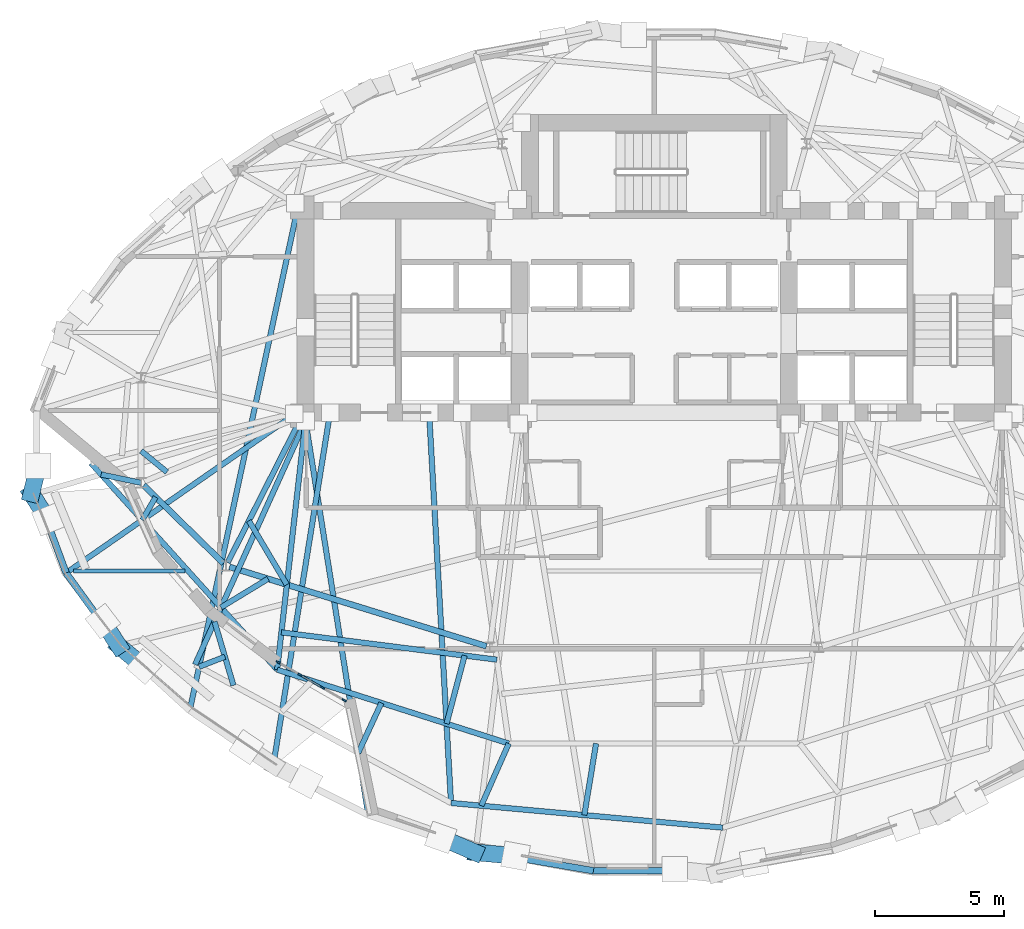
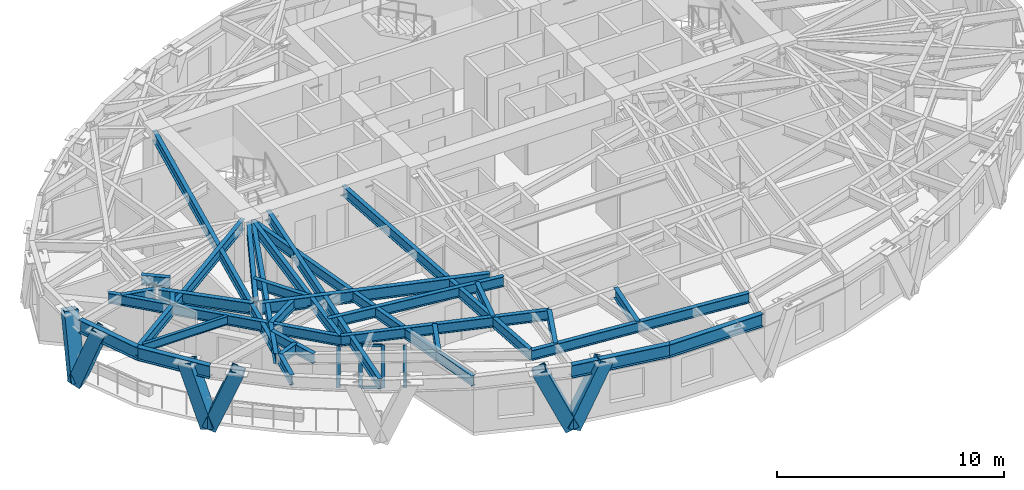
# One storey, part 2 of 15: 30 beams, 12 members, 1 element without a shape of its own.
"""IFC4 building model written with IfcOpenShell, lengths in metres."""

import ifcopenshell
import ifcopenshell.guid

model = None  # the IFC model being written
_history = None  # IfcOwnerHistory: only IFC2X3 demands one
_inside = {}  # id of a spatial element -> (the spatial element, [elements in it])
_under = {}  # id of a project, library or spatial element -> (it, [spatial elements below it])
_declared = {}  # id of a project -> (the project, [libraries it declares])
_typed = {}  # id of a type object -> (the type object, [elements of that type])
_made_of = {}  # id of a material, layer set ... -> (it, [elements and type objects made of it])


def new_model(schema):
    """Start an empty IFC model of exactly this schema.

    Asked for "IFC4X3", IfcOpenShell would pick the latest addendum, in which some entities
    have other attributes; the version numbers below select the first issue.
    IFC2X3 requires an IfcOwnerHistory on every rooted entity: one is made here for all.
    """
    global model, _history
    if schema == "IFC4X3":
        model = ifcopenshell.file(schema_version=(4, 3, 0, 0))
    else:
        model = ifcopenshell.file(schema=schema)
    _inside.clear()
    _under.clear()
    _declared.clear()
    _typed.clear()
    _made_of.clear()
    _history = None
    if model.schema == "IFC2X3":
        org = make("IfcOrganization", Name="unknown")
        user = make(
            "IfcPersonAndOrganization",
            ThePerson=make("IfcPerson", FamilyName="unknown"),
            TheOrganization=org,
        )
        app = make(
            "IfcApplication",
            ApplicationDeveloper=org,
            Version="unknown",
            ApplicationFullName="unknown",
            ApplicationIdentifier="unknown",
        )
        _history = make(
            "IfcOwnerHistory",
            OwningUser=user,
            OwningApplication=app,
            ChangeAction="ADDED",
            CreationDate=0,
        )
    return model


def make(cls, **values):
    """One entity of the class cls with the attributes given. An attribute that is None is left unset."""
    return model.create_entity(
        cls, **{name: value for name, value in values.items() if value is not None}
    )


def rooted(cls, **values):
    """An entity with a GlobalId (a new one), such as an element, a storey or a relation."""
    return make(cls, GlobalId=ifcopenshell.guid.new(), OwnerHistory=_history, **values)


def si_unit(unit_type, name, prefix=None):
    """IfcSIUnit, for example si_unit("LENGTHUNIT", "METRE", prefix="MILLI")."""
    return make("IfcSIUnit", UnitType=unit_type, Prefix=prefix, Name=name)


def assignment(units):
    """IfcUnitAssignment: the units of a project."""
    return None if units is None else make("IfcUnitAssignment", Units=units)


def point(xyz):
    """IfcCartesianPoint."""
    return None if xyz is None else make("IfcCartesianPoint", Coordinates=xyz)


def direction(xyz):
    """IfcDirection."""
    return None if xyz is None else make("IfcDirection", DirectionRatios=xyz)


def frame(location, z_axis=None, x_axis=None):
    """IfcAxis2Placement3D, a coordinate frame: its origin and axes. An axis left out is left unset."""
    return make(
        "IfcAxis2Placement3D",
        Location=point(location),
        Axis=direction(z_axis),
        RefDirection=direction(x_axis),
    )


def frame_2d(location, x_axis=None):
    """IfcAxis2Placement2D, a coordinate frame in the plane: its origin and x axis."""
    return make(
        "IfcAxis2Placement2D", Location=point(location), RefDirection=direction(x_axis)
    )


def origin():
    """The frame at (0, 0, 0) with its axes left unset."""
    return frame((0.0, 0.0, 0.0))


def origin_2d():
    """The frame at (0, 0) in the plane with its x axis left unset."""
    return frame_2d((0.0, 0.0))


def place(relative_to, where):
    """IfcLocalPlacement: puts the frame where relative to a parent placement (None: the world)."""
    return make(
        "IfcLocalPlacement", PlacementRelTo=relative_to, RelativePlacement=where
    )


def context(
    kind, dimensions, precision=None, world=None, true_north=None, identifier=None
):
    """IfcGeometricRepresentationContext, for example the 3D "Model" context."""
    return make(
        "IfcGeometricRepresentationContext",
        ContextIdentifier=identifier,
        ContextType=kind,
        CoordinateSpaceDimension=dimensions,
        Precision=precision,
        WorldCoordinateSystem=world,
        TrueNorth=true_north,
    )


def subcontext(parent, identifier, kind, view, scale=None):
    """IfcGeometricRepresentationSubContext, for example "Body" below "Model"."""
    return make(
        "IfcGeometricRepresentationSubContext",
        ContextIdentifier=identifier,
        ContextType=kind,
        ParentContext=parent,
        TargetScale=scale,
        TargetView=view,
    )


def project(units=None, contexts=None):
    """IfcProject with its units and contexts."""
    return rooted(
        "IfcProject",
        Name="project",
        RepresentationContexts=contexts,
        UnitsInContext=assignment(units),
    )


def spatial(cls, under=None, at=None, **own):
    """A site, building, storey or space (cls), placed at a placement, below another one or the project."""
    s = rooted(cls, ObjectPlacement=at, **own)
    if under is not None:
        _under.setdefault(under.id(), (under, []))[1].append(s)
    return s


def profile(cls, at=None, kind="AREA", **sizes):
    """A parametric profile (cls). Its sizes go by their IFC names, for example OverallWidth=200.0."""
    return make(cls, ProfileType=kind, Position=at, **sizes)


def rectangle(**sizes):
    """IfcRectangleProfileDef."""
    return profile("IfcRectangleProfileDef", **sizes)


def hollow_rectangle(**sizes):
    """IfcRectangleHollowProfileDef."""
    return profile("IfcRectangleHollowProfileDef", **sizes)


def i_section(**sizes):
    """IfcIShapeProfileDef."""
    return profile("IfcIShapeProfileDef", **sizes)


def extrude(swept, where, along, depth):
    """IfcExtrudedAreaSolid: the profile swept, set in the frame where, extruded along a direction by depth."""
    return make(
        "IfcExtrudedAreaSolid",
        SweptArea=swept,
        Position=where,
        ExtrudedDirection=direction(along),
        Depth=depth,
    )


def shape(context_of_items, identifier, shape_type, items):
    """IfcShapeRepresentation: the items that make up one representation, for example the "Body"."""
    return make(
        "IfcShapeRepresentation",
        ContextOfItems=context_of_items,
        RepresentationIdentifier=identifier,
        RepresentationType=shape_type,
        Items=items,
    )


def material(Name=None, Category=None):
    """IfcMaterial."""
    return make("IfcMaterial", Name=Name, Category=Category)


def layer(
    of_material, thickness, ventilated=None, Name=None, Category=None, Priority=None
):
    """IfcMaterialLayer: one layer of a wall or slab, of a material (None: an air gap)."""
    return make(
        "IfcMaterialLayer",
        Material=of_material,
        LayerThickness=thickness,
        IsVentilated=ventilated,
        Name=Name,
        Category=Category,
        Priority=Priority,
    )


def layer_set(layers, Name=None):
    """IfcMaterialLayerSet."""
    return make("IfcMaterialLayerSet", MaterialLayers=layers, LayerSetName=Name)


def material_profile(
    of_material, cross_section, Name=None, Category=None, Priority=None
):
    """IfcMaterialProfile: a cross section and its material."""
    return make(
        "IfcMaterialProfile",
        Name=Name,
        Material=of_material,
        Profile=cross_section,
        Priority=Priority,
        Category=Category,
    )


def profile_set(profiles, Name=None, composite=None):
    """IfcMaterialProfileSet."""
    return make(
        "IfcMaterialProfileSet",
        Name=Name,
        MaterialProfiles=profiles,
        CompositeProfile=composite,
    )


def made_of(thing, what):
    """Note that an element or type object is made of a material, layer set ...; save() writes the relation."""
    if what is not None:
        _made_of.setdefault(what.id(), (what, []))[1].append(thing)
    return thing


def type_object(cls, material=None, **own):
    """A type object (cls), such as IfcWallType, which elements share."""
    return made_of(rooted(cls, **own), material)


def element(
    cls,
    number,
    at=None,
    inside=None,
    cuts=None,
    type_object=None,
    material=None,
    context=None,
    identifier="Body",
    shape_type=None,
    held_by="IfcProductDefinitionShape",
    body=None,
    shapes=None,
    **own,
):
    """One element of the class cls, such as IfcWall. Its Tag is "e" and its number.

    at: its placement. inside: the storey or other place that contains it. cuts: it is an
    opening in that element (IfcRelVoidsElement). A single representation is given by context,
    identifier, shape_type and body (its items); several are given by shapes. held_by: the class
    of the entity that holds the representations. save() writes the other relations.
    """
    e = rooted(cls, Tag="e%d" % number, ObjectPlacement=at, **own)
    if body is not None:
        shapes = [shape(context, identifier, shape_type, body)]
    if shapes is not None:
        e.Representation = make(held_by, Representations=shapes)
    if inside is not None:
        _inside.setdefault(inside.id(), (inside, []))[1].append(e)
    if cuts is not None:
        rooted(
            "IfcRelVoidsElement", RelatingBuildingElement=cuts, RelatedOpeningElement=e
        )
    if type_object is not None:
        _typed.setdefault(type_object.id(), (type_object, []))[1].append(e)
    return made_of(e, material)


def aggregate(whole, parts):
    """IfcRelAggregates: a whole, such as a stair, and the parts it consists of."""
    return rooted("IfcRelAggregates", RelatingObject=whole, RelatedObjects=parts)


def save(model, path):
    """Write the relations noted so far, then the file.

    IfcRelAggregates (storeys below a building ...), IfcRelContainedInSpatialStructure (elements
    in a storey), IfcRelDefinesByType, IfcRelAssociatesMaterial and IfcRelDeclares: one each for
    every whole, place, type object, material and project.
    """
    for whole, parts in _under.values():
        aggregate(whole, parts)
    for where, things in _inside.values():
        rooted(
            "IfcRelContainedInSpatialStructure",
            RelatedElements=things,
            RelatingStructure=where,
        )
    for kind, things in _typed.values():
        rooted("IfcRelDefinesByType", RelatedObjects=things, RelatingType=kind)
    for what, things in _made_of.values():
        rooted("IfcRelAssociatesMaterial", RelatedObjects=things, RelatingMaterial=what)
    for by, libraries in _declared.values():
        rooted("IfcRelDeclares", RelatingContext=by, RelatedDefinitions=libraries)
    model.write(path)


model = new_model("IFC4")

# Units and contexts
model_context = context("Model", 3, precision=1e-05, world=origin(), true_north=direction((0.0, 1.0)))
body_context = subcontext(model_context, "Body", "Model", "MODEL_VIEW")
ifc_project = project(units=[si_unit("LENGTHUNIT", "METRE"), si_unit("AREAUNIT", "SQUARE_METRE"), si_unit("VOLUMEUNIT", "CUBIC_METRE"), si_unit("PLANEANGLEUNIT", "RADIAN"), si_unit("MASSUNIT", "GRAM", prefix="KILO")], contexts=[model_context])

# Site, building, storey
site_placement = place(None, origin())
site = spatial("IfcSite", under=ifc_project, at=site_placement, CompositionType="ELEMENT")
building_placement = place(site_placement, origin())
building = spatial("IfcBuilding", under=site, at=building_placement, Name="Keldmark Tower", CompositionType="ELEMENT")
storey_placement = place(building_placement, frame((0.0, 0.0, 195.0)))
storey = spatial("IfcBuildingStorey", under=building, at=storey_placement, Name="L54", CompositionType="ELEMENT", Elevation=195.0)

# Beam
ifc_material_1 = material(Name="Steel ASTM A992 Grade 50", Category="steel")
ifc_material_profile_1 = material_profile(ifc_material_1, i_section(OverallWidth=0.153076171875, OverallDepth=0.455078125, WebThickness=0.008056640625, FlangeThickness=0.01318359375, at=origin_2d()), Name="W18X40")
ifc_profile_set_1 = profile_set([ifc_material_profile_1], Name="Steel ASTM A992 Grade 50")
beam_type_1 = type_object("IfcBeamType", Name="Composite Floor Joist W18X40", PredefinedType="JOIST", material=ifc_profile_set_1)
beam_1_placement = place(storey_placement, frame((-22.447265625, -4.60009765625, 2.79248046875), z_axis=(1.0, 0.0, 0.0), x_axis=(0.0, 1.0, 0.0)))
element("IfcBeam", 1, at=beam_1_placement, inside=storey, type_object=beam_type_1, Name="L54 Composite Floor Joist J01", PredefinedType="JOIST", context=body_context, shape_type="SweptSolid", body=[
    extrude(i_section(OverallWidth=0.153076171875, OverallDepth=0.455078125, WebThickness=0.008056640625, FlangeThickness=0.01318359375, at=origin_2d()), origin(), (0.0, 0.0, 1.0), 4.310302734375),
])

# Curtain wall, members
ifc_material_2 = material(Name="Unitized Thermally Broken Aluminum and Triple Low-E Glazing", Category="aluminium")
ifc_layer = layer(ifc_material_2, 0.219970703125)
ifc_layer_set = layer_set([ifc_layer], Name="Unitized Thermally Broken Aluminum and Triple Low-E Glazing")
curtain_wall_type = type_object("IfcCurtainWallType", Name="Spiralling Sky-Garden Feature Curtain Wall System", PredefinedType="NOTDEFINED", material=ifc_layer_set)
curtain_wall_placement = place(storey_placement, origin())
curtain_wall = element("IfcCurtainWall", 2, at=curtain_wall_placement, inside=storey, type_object=curtain_wall_type, Name="L54 Spiralling Sky-Garden Feature Curtain Wall System CW-L54-20", PredefinedType="NOTDEFINED")
ifc_material_3 = material(Name="Extruded Aluminum Alloy 6063-T6", Category="aluminium")
ifc_material_profile_2 = material_profile(ifc_material_3, rectangle(XDim=0.06005859375, YDim=0.139892578125, at=origin_2d()), Name="CWT60X140")
ifc_profile_set_2 = profile_set([ifc_material_profile_2], Name="Extruded Aluminum Alloy 6063-T6")
member_type_1 = type_object("IfcMemberType", Name="Curtain Wall Horizontal Transom 60x140", PredefinedType="USERDEFINED", material=ifc_profile_set_2)
member_1_placement = place(storey_placement, frame((-12.8486328125, -9.09130859375, 0.030029296875), z_axis=(-0.866690432268, 0.498846363739, 0.0), x_axis=(-0.498846363739, -0.866690432268, 0.0)))
member_1 = element("IfcMember", 3, at=member_1_placement, type_object=member_type_1, Name="CW transom 2.1", ObjectType="TRANSOM", PredefinedType="USERDEFINED", context=body_context, shape_type="SweptSolid", body=[
    extrude(rectangle(XDim=0.06005859375, YDim=0.139892578125, at=origin_2d()), origin(), (0.0, 0.0, 1.0), 0.941162109375),
])
member_2_placement = place(storey_placement, frame((-12.8486328125, -9.09130859375, 2.284912109375), z_axis=(-0.866690432268, 0.498846363739, 0.0), x_axis=(-0.498846363739, -0.866690432268, 0.0)))
member_2 = element("IfcMember", 4, at=member_2_placement, type_object=member_type_1, Name="CW transom 2.2", ObjectType="TRANSOM", PredefinedType="USERDEFINED", context=body_context, shape_type="SweptSolid", body=[
    extrude(rectangle(XDim=0.06005859375, YDim=0.139892578125, at=origin_2d()), origin(), (0.0, 0.0, 1.0), 0.941162109375),
])
ifc_material_4 = material(Name="Extruded Aluminum Alloy 6063-T6", Category="aluminium")
ifc_material_profile_3 = material_profile(ifc_material_4, rectangle(XDim=0.06005859375, YDim=0.179931640625, at=origin_2d()), Name="CWM60X180")
ifc_profile_set_3 = profile_set([ifc_material_profile_3], Name="Extruded Aluminum Alloy 6063-T6")
member_type_2 = type_object("IfcMemberType", Name="Curtain Wall Structural Mullion 60x180", PredefinedType="MULLION", material=ifc_profile_set_3)
member_3_placement = place(storey_placement, frame((-11.98095703125, -9.5908203125, 0.0), z_axis=(0.0, 0.0, 1.0), x_axis=(-0.498850780197, -0.866687890245, 0.0)))
member_3 = element("IfcMember", 5, at=member_3_placement, type_object=member_type_2, Name="CW mullion 1", PredefinedType="MULLION", context=body_context, shape_type="SweptSolid", body=[
    extrude(rectangle(XDim=0.06005859375, YDim=0.179931640625, at=origin_2d()), origin(), (0.0, 0.0, 1.0), 2.31494140625),
])
member_4_placement = place(storey_placement, frame((-12.822509765625, -9.1064453125, 0.0), z_axis=(0.0, 0.0, 1.0), x_axis=(-0.498850780197, -0.866687890245, 0.0)))
member_4 = element("IfcMember", 6, at=member_4_placement, type_object=member_type_2, Name="CW mullion 2", PredefinedType="MULLION", context=body_context, shape_type="SweptSolid", body=[
    extrude(rectangle(XDim=0.06005859375, YDim=0.179931640625, at=origin_2d()), origin(), (0.0, 0.0, 1.0), 2.31494140625),
])
member_5_placement = place(storey_placement, frame((-13.690185546875, -8.60693359375, 0.0), z_axis=(0.0, 0.0, 1.0), x_axis=(-0.498850780197, -0.866687890245, 0.0)))
member_5 = element("IfcMember", 7, at=member_5_placement, type_object=member_type_2, Name="CW mullion 3", PredefinedType="MULLION", context=body_context, shape_type="SweptSolid", body=[
    extrude(rectangle(XDim=0.06005859375, YDim=0.179931640625, at=origin_2d()), origin(), (0.0, 0.0, 1.0), 2.31494140625),
])
member_6_placement = place(storey_placement, frame((-14.531982421875, -8.12255859375, 0.0), z_axis=(0.0, 0.0, 1.0), x_axis=(-0.498850780197, -0.866687890245, 0.0)))
member_6 = element("IfcMember", 8, at=member_6_placement, type_object=member_type_2, Name="CW mullion 4", PredefinedType="MULLION", context=body_context, shape_type="SweptSolid", body=[
    extrude(rectangle(XDim=0.06005859375, YDim=0.179931640625, at=origin_2d()), origin(), (0.0, 0.0, 1.0), 2.31494140625),
])
aggregate(curtain_wall, [member_3, member_4, member_5, member_6, member_1, member_2])

# Members
ifc_material_5 = material(Name="Steel ASTM A572 Grade 50", Category="steel")
ifc_material_profile_4 = material_profile(ifc_material_5, hollow_rectangle(XDim=0.64990234375, YDim=0.64990234375, WallThickness=0.0400390625, at=origin_2d()), Name="BOX650X650X40")
ifc_profile_set_4 = profile_set([ifc_material_profile_4], Name="Steel ASTM A572 Grade 50")
member_type_3 = type_object("IfcMemberType", Name="Diagrid Zone 3 Brace BOX650X650X40", PredefinedType="BRACE", material=ifc_profile_set_4)
member_7_placement = place(storey_placement, frame((-24.069091796875, -1.6171875, -0.260009765625), z_axis=(0.078930091832, 0.322425416682, 0.943298410515), x_axis=(-0.971319047575, 0.237779956719, 0.0)))
element("IfcMember", 9, at=member_7_placement, inside=storey, type_object=member_type_3, Name="L54 Perimeter Diagrid Brace 08B", PredefinedType="BRACE", context=body_context, shape_type="SweptSolid", body=[
    extrude(hollow_rectangle(XDim=0.64990234375, YDim=0.64990234375, WallThickness=0.0400390625, at=origin_2d()), origin(), (0.0, 0.0, 1.0), 3.349853515625),
])
member_8_placement = place(storey_placement, frame((-24.069091796875, -1.605224609375, -0.260009765625), z_axis=(0.190598786079, -0.298614398356, 0.935147872713), x_axis=(0.842930081516, 0.538023120019, 0.0)))
element("IfcMember", 10, at=member_8_placement, inside=storey, type_object=member_type_3, Name="L54 Perimeter Diagrid Brace 09A", PredefinedType="BRACE", context=body_context, shape_type="SweptSolid", body=[
    extrude(hollow_rectangle(XDim=0.64990234375, YDim=0.64990234375, WallThickness=0.0400390625, at=origin_2d()), origin(), (0.0, 0.0, 1.0), 3.379150390625),
])
member_9_placement = place(storey_placement, frame((-20.685546875, -7.499267578125, -0.260009765625), z_axis=(-0.184722296297, 0.286272343573, 0.940173291769), x_axis=(-0.840255915294, -0.542190000658, 0.0)))
element("IfcMember", 11, at=member_9_placement, inside=storey, type_object=member_type_3, Name="L54 Perimeter Diagrid Brace 09B", PredefinedType="BRACE", context=body_context, shape_type="SweptSolid", body=[
    extrude(hollow_rectangle(XDim=0.64990234375, YDim=0.64990234375, WallThickness=0.0400390625, at=origin_2d()), origin(), (0.0, 0.0, 1.0), 3.361083984375),
])
member_10_placement = place(storey_placement, frame((-20.68994140625, -7.48828125, -0.260009765625), z_axis=(0.285296485785, -0.237735115387, 0.928486903575), x_axis=(0.64016539914, 0.768237112969, 0.0)))
element("IfcMember", 12, at=member_10_placement, inside=storey, type_object=member_type_3, Name="L54 Perimeter Diagrid Brace 10A", PredefinedType="BRACE", context=body_context, shape_type="SweptSolid", body=[
    extrude(hollow_rectangle(XDim=0.64990234375, YDim=0.64990234375, WallThickness=0.0400390625, at=origin_2d()), origin(), (0.0, 0.0, 1.0), 3.4033203125),
])
member_11_placement = place(storey_placement, frame((-6.917236328125, -15.469970703125, -0.260009765625), z_axis=(-0.383885290539, 0.16597599856, 0.908341373939), x_axis=(-0.39685383877, -0.917881817367, 0.0)))
element("IfcMember", 13, at=member_11_placement, inside=storey, type_object=member_type_3, Name="L54 Perimeter Diagrid Brace 11B", PredefinedType="BRACE", context=body_context, shape_type="SweptSolid", body=[
    extrude(hollow_rectangle(XDim=0.64990234375, YDim=0.64990234375, WallThickness=0.0400390625, at=origin_2d()), origin(), (0.0, 0.0, 1.0), 3.478759765625),
])
member_12_placement = place(storey_placement, frame((-6.92822265625, -15.465576171875, -0.260009765625), z_axis=(0.443781125706, -0.040048203208, 0.895239886224), x_axis=(0.089877909266, 0.995952790762, 0.0)))
element("IfcMember", 14, at=member_12_placement, inside=storey, type_object=member_type_3, Name="L54 Perimeter Diagrid Brace 12A", PredefinedType="BRACE", context=body_context, shape_type="SweptSolid", body=[
    extrude(hollow_rectangle(XDim=0.64990234375, YDim=0.64990234375, WallThickness=0.0400390625, at=origin_2d()), origin(), (0.0, 0.0, 1.0), 3.52978515625),
])

# Beams
ifc_material_6 = material(Name="Steel ASTM A992 Grade 50", Category="steel")
ifc_material_profile_5 = material_profile(ifc_material_6, i_section(OverallWidth=0.22900390625, OverallDepth=0.612060546875, WebThickness=0.011962890625, FlangeThickness=0.01953125, at=origin_2d()), Name="W24X84")
ifc_profile_set_5 = profile_set([ifc_material_profile_5], Name="Steel ASTM A992 Grade 50")
beam_type_2 = type_object("IfcBeamType", Name="Primary Floor Girder W24X84", PredefinedType="BEAM", material=ifc_profile_set_5)
beam_2_placement = place(storey_placement, frame((-19.728271484375, -1.287109375, 2.714111328125), z_axis=(0.714964509815, -0.699160746684, 0.0), x_axis=(0.699160746684, 0.714964509815, 0.0)))
element("IfcBeam", 15, at=beam_2_placement, inside=storey, type_object=beam_type_2, Name="L54 Floor Ring Girder FG-R07", PredefinedType="BEAM", context=body_context, shape_type="SweptSolid", body=[
    extrude(i_section(OverallWidth=0.22900390625, OverallDepth=0.612060546875, WebThickness=0.011962890625, FlangeThickness=0.01953125, at=origin_2d()), origin(), (0.0, 0.0, 1.0), 4.31005859375),
])
beam_3_placement = place(storey_placement, frame((-16.412841796875, -4.439697265625, 2.714111328125), z_axis=(0.955494563145, -0.295008711398, 0.0), x_axis=(0.295008711398, 0.955494563145, 0.0)))
element("IfcBeam", 16, at=beam_3_placement, inside=storey, type_object=beam_type_2, Name="L54 Floor Ring Girder FG-R08", PredefinedType="BEAM", context=body_context, shape_type="SweptSolid", body=[
    extrude(i_section(OverallWidth=0.22900390625, OverallDepth=0.612060546875, WebThickness=0.011962890625, FlangeThickness=0.01953125, at=origin_2d()), origin(), (0.0, 0.0, 1.0), 10.39013671875),
])
ifc_material_7 = material(Name="Steel ASTM A992 Grade 50", Category="steel")
ifc_material_profile_6 = material_profile(ifc_material_7, i_section(OverallWidth=0.2099609375, OverallDepth=0.537109375, WebThickness=0.010986328125, FlangeThickness=0.017333984375, at=origin_2d()), Name="W21X68")
ifc_profile_set_6 = profile_set([ifc_material_profile_6], Name="Steel ASTM A992 Grade 50")
beam_type_3 = type_object("IfcBeamType", Name="Radial Tie Girder W21X68", PredefinedType="BEAM", material=ifc_profile_set_6)
beam_4_placement = place(storey_placement, frame((-16.4833984375, -4.273681640625, 2.75146484375), z_axis=(0.453036691775, 0.891491870914, 0.0), x_axis=(-0.891491870914, 0.453036691775, 0.0)))
element("IfcBeam", 17, at=beam_4_placement, inside=storey, type_object=beam_type_3, Name="L54 Floor Radial Girder FG-C08", PredefinedType="BEAM", context=body_context, shape_type="SweptSolid", body=[
    extrude(i_section(OverallWidth=0.2099609375, OverallDepth=0.537109375, WebThickness=0.010986328125, FlangeThickness=0.017333984375, at=origin_2d()), origin(), (0.0, 0.0, 1.0), 6.044189453125),
])
beam_5_placement = place(storey_placement, frame((-18.82861328125, -0.773681640625, 2.75146484375), z_axis=(-0.774092038208, 0.633073073494, 0.0), x_axis=(-0.633073073494, -0.774092038208, 0.0)))
element("IfcBeam", 18, at=beam_5_placement, inside=storey, type_object=beam_type_3, Name="L54 Framing Pin Header PH-001", PredefinedType="BEAM", context=body_context, shape_type="SweptSolid", body=[
    extrude(i_section(OverallWidth=0.2099609375, OverallDepth=0.537109375, WebThickness=0.010986328125, FlangeThickness=0.017333984375, at=origin_2d()), origin(), (0.0, 0.0, 1.0), 1.29150390625),
])
beam_6_placement = place(storey_placement, frame((-15.661865234375, -2.6572265625, 2.75146484375), z_axis=(0.510800164632, -0.859699477615, 0.0), x_axis=(0.859699477615, 0.510800164632, 0.0)))
element("IfcBeam", 19, at=beam_6_placement, inside=storey, type_object=beam_type_3, Name="L54 Framing Pin Header PH-002", PredefinedType="BEAM", context=body_context, shape_type="SweptSolid", body=[
    extrude(i_section(OverallWidth=0.2099609375, OverallDepth=0.537109375, WebThickness=0.010986328125, FlangeThickness=0.017333984375, at=origin_2d()), origin(), (0.0, 0.0, 1.0), 2.86962890625),
])
beam_7_placement = place(storey_placement, frame((-13.47509765625, 1.199951171875, 2.75146484375), z_axis=(-0.113259692986, -0.993565419056, 0.0), x_axis=(0.993565419056, -0.113259692986, 0.0)))
element("IfcBeam", 20, at=beam_7_placement, inside=storey, type_object=beam_type_3, Name="L54 Sub-Ring Step Girder STP1-M08", PredefinedType="BEAM", context=body_context, shape_type="SweptSolid", body=[
    extrude(i_section(OverallWidth=0.2099609375, OverallDepth=0.537109375, WebThickness=0.010986328125, FlangeThickness=0.017333984375, at=origin_2d()), origin(), (0.0, 0.0, 1.0), 9.672119140625),
])
beam_8_placement = place(storey_placement, frame((-14.40625, -6.968505859375, 2.75146484375), z_axis=(0.992079298302, -0.125613159666, 0.0), x_axis=(0.125613159666, 0.992079298302, 0.0)))
element("IfcBeam", 21, at=beam_8_placement, inside=storey, type_object=beam_type_3, Name="L54 Framing Pin Header PH-003", PredefinedType="BEAM", context=body_context, shape_type="SweptSolid", body=[
    extrude(i_section(OverallWidth=0.2099609375, OverallDepth=0.537109375, WebThickness=0.010986328125, FlangeThickness=0.017333984375, at=origin_2d()), origin(), (0.0, 0.0, 1.0), 8.394287109375),
])
beam_9_placement = place(storey_placement, frame((-21.764404296875, -0.431640625, 2.75146484375), z_axis=(0.66965376716, -0.742673435723, 0.0), x_axis=(0.742673435723, 0.66965376716, 0.0)))
element("IfcBeam", 22, at=beam_9_placement, inside=storey, type_object=beam_type_3, Name="L54 Perimeter Collector Ring Beam CRG1-M07", PredefinedType="BEAM", context=body_context, shape_type="SweptSolid", body=[
    extrude(i_section(OverallWidth=0.2099609375, OverallDepth=0.537109375, WebThickness=0.010986328125, FlangeThickness=0.017333984375, at=origin_2d()), origin(), (0.0, 0.0, 1.0), 10.74267578125),
])
beam_10_placement = place(storey_placement, frame((-14.570556640625, -8.409912109375, 2.75146484375), z_axis=(0.952745030874, -0.303771141067, 0.0), x_axis=(0.303771141067, 0.952745030874, 0.0)))
element("IfcBeam", 23, at=beam_10_placement, inside=storey, type_object=beam_type_3, Name="L54 Perimeter Collector Ring Beam CRG1-M08", PredefinedType="BEAM", context=body_context, shape_type="SweptSolid", body=[
    extrude(i_section(OverallWidth=0.2099609375, OverallDepth=0.537109375, WebThickness=0.010986328125, FlangeThickness=0.017333984375, at=origin_2d()), origin(), (0.0, 0.0, 1.0), 9.392822265625),
])
beam_11_placement = place(storey_placement, frame((-14.923583984375, -4.8994140625, 2.75146484375), z_axis=(-0.854519942576, -0.519418586248, 0.0), x_axis=(0.519418586248, -0.854519942576, 0.0)))
element("IfcBeam", 24, at=beam_11_placement, inside=storey, type_object=beam_type_3, Name="L54 Framing Pin Header PH-007", PredefinedType="BEAM", context=body_context, shape_type="SweptSolid", body=[
    extrude(i_section(OverallWidth=0.2099609375, OverallDepth=0.537109375, WebThickness=0.010986328125, FlangeThickness=0.017333984375, at=origin_2d()), origin(), (0.0, 0.0, 1.0), 2.1259765625),
])
beam_12_placement = place(storey_placement, frame((-13.47509765625, 1.199951171875, 2.75146484375), z_axis=(-0.412838156559, -0.910804400785, 0.0), x_axis=(0.910804400785, -0.412838156559, 0.0)))
element("IfcBeam", 25, at=beam_12_placement, inside=storey, type_object=beam_type_3, Name="L54 Sub-Ring Step Girder STP2-M08", PredefinedType="BEAM", context=body_context, shape_type="SweptSolid", body=[
    extrude(i_section(OverallWidth=0.2099609375, OverallDepth=0.537109375, WebThickness=0.010986328125, FlangeThickness=0.017333984375, at=origin_2d()), origin(), (0.0, 0.0, 1.0), 10.3359375),
])
beam_13_placement = place(storey_placement, frame((-7.32763671875, -7.86474609375, 2.75146484375), z_axis=(-0.256183373863, -0.966628200994, 0.0), x_axis=(0.966628200994, -0.256183373863, 0.0)))
element("IfcBeam", 26, at=beam_13_placement, inside=storey, type_object=beam_type_3, Name="L54 Framing Pin Header PH-008", PredefinedType="BEAM", context=body_context, shape_type="SweptSolid", body=[
    extrude(i_section(OverallWidth=0.2099609375, OverallDepth=0.537109375, WebThickness=0.010986328125, FlangeThickness=0.017333984375, at=origin_2d()), origin(), (0.0, 0.0, 1.0), 2.72265625),
])
beam_14_placement = place(storey_placement, frame((-8.699951171875, 1.52490234375, 2.75146484375), z_axis=(0.056041011327, -0.998428467668, 0.0), x_axis=(0.998428467668, 0.056041011327, 0.0)))
element("IfcBeam", 27, at=beam_14_placement, inside=storey, type_object=beam_type_3, Name="L54 Sub-Ring Step Girder STP2-M09", PredefinedType="BEAM", context=body_context, shape_type="SweptSolid", body=[
    extrude(i_section(OverallWidth=0.2099609375, OverallDepth=0.537109375, WebThickness=0.010986328125, FlangeThickness=0.017333984375, at=origin_2d()), origin(), (0.0, 0.0, 1.0), 15.108154296875),
])
beam_15_placement = place(storey_placement, frame((-7.853271484375, -13.5595703125, 2.75146484375), z_axis=(0.995896624136, -0.090498143818, 0.0), x_axis=(0.090498143818, 0.995896624136, 0.0)))
element("IfcBeam", 28, at=beam_15_placement, inside=storey, type_object=beam_type_3, Name="L54 Perimeter Collector Ring Beam CRG2-M09", PredefinedType="BEAM", context=body_context, shape_type="SweptSolid", body=[
    extrude(i_section(OverallWidth=0.2099609375, OverallDepth=0.537109375, WebThickness=0.010986328125, FlangeThickness=0.017333984375, at=origin_2d()), origin(), (0.0, 0.0, 1.0), 10.537353515625),
])
beam_16_placement = place(storey_placement, frame((-19.828369140625, -1.189208984375, 2.75146484375), z_axis=(-0.978865638515, 0.204504429619, 0.0), x_axis=(-0.204504429619, -0.978865638515, 0.0)))
element("IfcBeam", 29, at=beam_16_placement, inside=storey, type_object=beam_type_3, Name="L54 Framing Pin Header PH-022", PredefinedType="BEAM", context=body_context, shape_type="SweptSolid", body=[
    extrude(i_section(OverallWidth=0.2099609375, OverallDepth=0.537109375, WebThickness=0.010986328125, FlangeThickness=0.017333984375, at=origin_2d()), origin(), (0.0, 0.0, 1.0), 1.5771484375),
])
beam_17_placement = place(storey_placement, frame((-19.26611328125, -1.739013671875, 2.75146484375), z_axis=(-0.50146613662, -0.865177273062, 0.0), x_axis=(0.865177273062, -0.50146613662, 0.0)))
element("IfcBeam", 30, at=beam_17_placement, inside=storey, type_object=beam_type_3, Name="L54 Framing Pin Header PH-023", PredefinedType="BEAM", context=body_context, shape_type="SweptSolid", body=[
    extrude(i_section(OverallWidth=0.2099609375, OverallDepth=0.537109375, WebThickness=0.010986328125, FlangeThickness=0.017333984375, at=origin_2d()), origin(), (0.0, 0.0, 1.0), 1.02978515625),
])
beam_18_placement = place(storey_placement, frame((-13.800048828125, 1.52490234375, 2.75146484375), z_axis=(-0.821354176365, -0.570418545427, 0.0), x_axis=(0.570418545427, -0.821354176365, 0.0)))
element("IfcBeam", 31, at=beam_18_placement, inside=storey, type_object=beam_type_3, Name="L54 Perimeter Radial Tie Girder RT-18", PredefinedType="BEAM", context=body_context, shape_type="SweptSolid", body=[
    extrude(i_section(OverallWidth=0.2099609375, OverallDepth=0.537109375, WebThickness=0.010986328125, FlangeThickness=0.017333984375, at=origin_2d()), origin(), (0.0, 0.0, 1.0), 10.866455078125),
])
beam_19_placement = place(storey_placement, frame((-16.2587890625, -9.015869140625, 2.75146484375), z_axis=(-0.284930120109, 0.958548291248, 0.0), x_axis=(-0.958548291248, -0.284930120109, 0.0)))
element("IfcBeam", 32, at=beam_19_placement, inside=storey, type_object=beam_type_3, Name="L54 Framing Pin Header PH-024", PredefinedType="BEAM", context=body_context, shape_type="SweptSolid", body=[
    extrude(i_section(OverallWidth=0.2099609375, OverallDepth=0.537109375, WebThickness=0.010986328125, FlangeThickness=0.017333984375, at=origin_2d()), origin(), (0.0, 0.0, 1.0), 2.567138671875),
])
beam_20_placement = place(storey_placement, frame((-16.587890625, -7.908447265625, 2.75146484375), z_axis=(-0.931615235248, -0.363446080532, 0.0), x_axis=(0.363446080532, -0.931615235248, 0.0)))
element("IfcBeam", 33, at=beam_20_placement, inside=storey, type_object=beam_type_3, Name="L54 Framing Pin Header PH-025", PredefinedType="BEAM", context=body_context, shape_type="SweptSolid", body=[
    extrude(i_section(OverallWidth=0.2099609375, OverallDepth=0.537109375, WebThickness=0.010986328125, FlangeThickness=0.017333984375, at=origin_2d()), origin(), (0.0, 0.0, 1.0), 1.072021484375),
])
beam_21_placement = place(storey_placement, frame((-13.800048828125, 9.324951171875, 2.75146484375), z_axis=(-0.210067583566, -0.97768686722, 0.0), x_axis=(0.97768686722, -0.210067583566, 0.0)))
element("IfcBeam", 34, at=beam_21_placement, inside=storey, type_object=beam_type_3, Name="L54 Perimeter Radial Tie Girder RT-20", PredefinedType="BEAM", context=body_context, shape_type="SweptSolid", body=[
    extrude(i_section(OverallWidth=0.2099609375, OverallDepth=0.537109375, WebThickness=0.010986328125, FlangeThickness=0.017333984375, at=origin_2d()), origin(), (0.0, 0.0, 1.0), 19.752685546875),
])
beam_22_placement = place(storey_placement, frame((-12.52490234375, 1.52490234375, 2.75146484375), z_axis=(-0.159027682022, -0.987274124218, 0.0), x_axis=(0.987274124218, -0.159027682022, 0.0)))
element("IfcBeam", 35, at=beam_22_placement, inside=storey, type_object=beam_type_3, Name="L54 Perimeter Radial Tie Girder RT-21", PredefinedType="BEAM", context=body_context, shape_type="SweptSolid", body=[
    extrude(i_section(OverallWidth=0.2099609375, OverallDepth=0.537109375, WebThickness=0.010986328125, FlangeThickness=0.017333984375, at=origin_2d()), origin(), (0.0, 0.0, 1.0), 13.87060546875),
])
beam_23_placement = place(storey_placement, frame((-10.54345703125, -9.69384765625, 2.75146484375), z_axis=(-0.420274201039, -0.90739715447, 0.0), x_axis=(0.90739715447, -0.420274201039, 0.0)))
element("IfcBeam", 36, at=beam_23_placement, inside=storey, type_object=beam_type_3, Name="L54 Framing Pin Header PH-027", PredefinedType="BEAM", context=body_context, shape_type="SweptSolid", body=[
    extrude(i_section(OverallWidth=0.2099609375, OverallDepth=0.537109375, WebThickness=0.010986328125, FlangeThickness=0.017333984375, at=origin_2d()), origin(), (0.0, 0.0, 1.0), 2.12548828125),
])
beam_24_placement = place(storey_placement, frame((-13.47509765625, 1.199951171875, 2.75146484375), z_axis=(0.157001992151, -0.987598285975, 0.0), x_axis=(0.987598285975, 0.157001992151, 0.0)))
element("IfcBeam", 37, at=beam_24_placement, inside=storey, type_object=beam_type_3, Name="L54 Perimeter Radial Tie Girder RT-22", PredefinedType="BEAM", context=body_context, shape_type="SweptSolid", body=[
    extrude(i_section(OverallWidth=0.2099609375, OverallDepth=0.537109375, WebThickness=0.010986328125, FlangeThickness=0.017333984375, at=origin_2d()), origin(), (0.0, 0.0, 1.0), 15.413330078125),
])
beam_25_placement = place(storey_placement, frame((-5.62158203125, -11.26318359375, 2.75146484375), z_axis=(-0.405103702824, -0.914270742154, 0.0), x_axis=(0.914270742154, -0.405103702824, 0.0)))
element("IfcBeam", 38, at=beam_25_placement, inside=storey, type_object=beam_type_3, Name="L54 Framing Pin Header PH-028", PredefinedType="BEAM", context=body_context, shape_type="SweptSolid", body=[
    extrude(i_section(OverallWidth=0.2099609375, OverallDepth=0.537109375, WebThickness=0.010986328125, FlangeThickness=0.017333984375, at=origin_2d()), origin(), (0.0, 0.0, 1.0), 2.627685546875),
])
beam_26_placement = place(storey_placement, frame((-2.24853515625, -11.26318359375, 2.75146484375), z_axis=(-0.162264718175, -0.9867472631, 0.0), x_axis=(0.9867472631, -0.162264718175, 0.0)))
element("IfcBeam", 39, at=beam_26_placement, inside=storey, type_object=beam_type_3, Name="L54 Framing Pin Header PH-029", PredefinedType="BEAM", context=body_context, shape_type="SweptSolid", body=[
    extrude(i_section(OverallWidth=0.2099609375, OverallDepth=0.537109375, WebThickness=0.010986328125, FlangeThickness=0.017333984375, at=origin_2d()), origin(), (0.0, 0.0, 1.0), 2.801513671875),
])
ifc_material_8 = material(Name="Steel ASTM A992 Grade 50", Category="steel")
ifc_material_profile_7 = material_profile(ifc_material_8, i_section(OverallWidth=0.256103515625, OverallDepth=0.693115234375, WebThickness=0.014404296875, FlangeThickness=0.023681640625, at=origin_2d()), Name="W27X114")
ifc_profile_set_7 = profile_set([ifc_material_profile_7], Name="Steel ASTM A992 Grade 50")
beam_type_4 = type_object("IfcBeamType", Name="Spandrel Ring Beam W27X114", PredefinedType="SPANDREL", material=ifc_profile_set_7)
beam_27_placement = place(storey_placement, frame((-23.8642578125, -1.593505859375, 2.673583984375), z_axis=(0.346817928639, -0.937932473249, 0.0), x_axis=(0.937932473249, 0.346817928639, 0.0)))
element("IfcBeam", 40, at=beam_27_placement, inside=storey, type_object=beam_type_4, Name="L54 Perimeter Spandrel Ring Beam SRB-17", PredefinedType="SPANDREL", context=body_context, shape_type="SweptSolid", body=[
    extrude(i_section(OverallWidth=0.256103515625, OverallDepth=0.693115234375, WebThickness=0.014404296875, FlangeThickness=0.023681640625, at=origin_2d()), origin(), (0.0, 0.0, 1.0), 3.283935546875),
])
beam_28_placement = place(storey_placement, frame((-22.725341796875, -4.673583984375, 2.673583984375), z_axis=(0.586378206793, -0.810037405678, 0.0), x_axis=(0.810037405678, 0.586378206793, 0.0)))
element("IfcBeam", 41, at=beam_28_placement, inside=storey, type_object=beam_type_4, Name="L54 Perimeter Spandrel Ring Beam SRB-18", PredefinedType="SPANDREL", context=body_context, shape_type="SweptSolid", body=[
    extrude(i_section(OverallWidth=0.256103515625, OverallDepth=0.693115234375, WebThickness=0.014404296875, FlangeThickness=0.023681640625, at=origin_2d()), origin(), (0.0, 0.0, 1.0), 3.483154296875),
])
beam_29_placement = place(storey_placement, frame((-6.893798828125, -15.406982421875, 2.673583984375), z_axis=(0.98586197295, -0.167559453006, 0.0), x_axis=(0.167559453006, 0.98586197295, 0.0)))
element("IfcBeam", 42, at=beam_29_placement, inside=storey, type_object=beam_type_4, Name="L54 Perimeter Spandrel Ring Beam SRB-23", PredefinedType="SPANDREL", context=body_context, shape_type="SweptSolid", body=[
    extrude(i_section(OverallWidth=0.256103515625, OverallDepth=0.693115234375, WebThickness=0.014404296875, FlangeThickness=0.023681640625, at=origin_2d()), origin(), (0.0, 0.0, 1.0), 4.608642578125),
])
beam_30_placement = place(storey_placement, frame((-2.350341796875, -16.17919921875, 2.673583984375), z_axis=(1.0, 0.0, 0.0), x_axis=(0.0, 1.0, 0.0)))
element("IfcBeam", 43, at=beam_30_placement, inside=storey, type_object=beam_type_4, Name="L54 Perimeter Spandrel Ring Beam SRB-24", PredefinedType="SPANDREL", context=body_context, shape_type="SweptSolid", body=[
    extrude(i_section(OverallWidth=0.256103515625, OverallDepth=0.693115234375, WebThickness=0.014404296875, FlangeThickness=0.023681640625, at=origin_2d()), origin(), (0.0, 0.0, 1.0), 4.70068359375),
])

save(model, "model.ifc")
